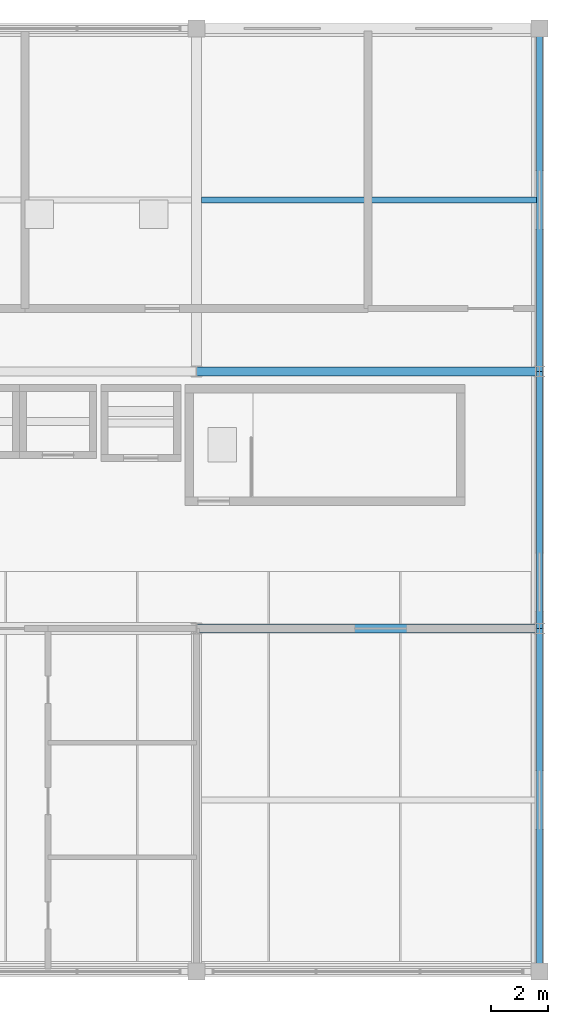
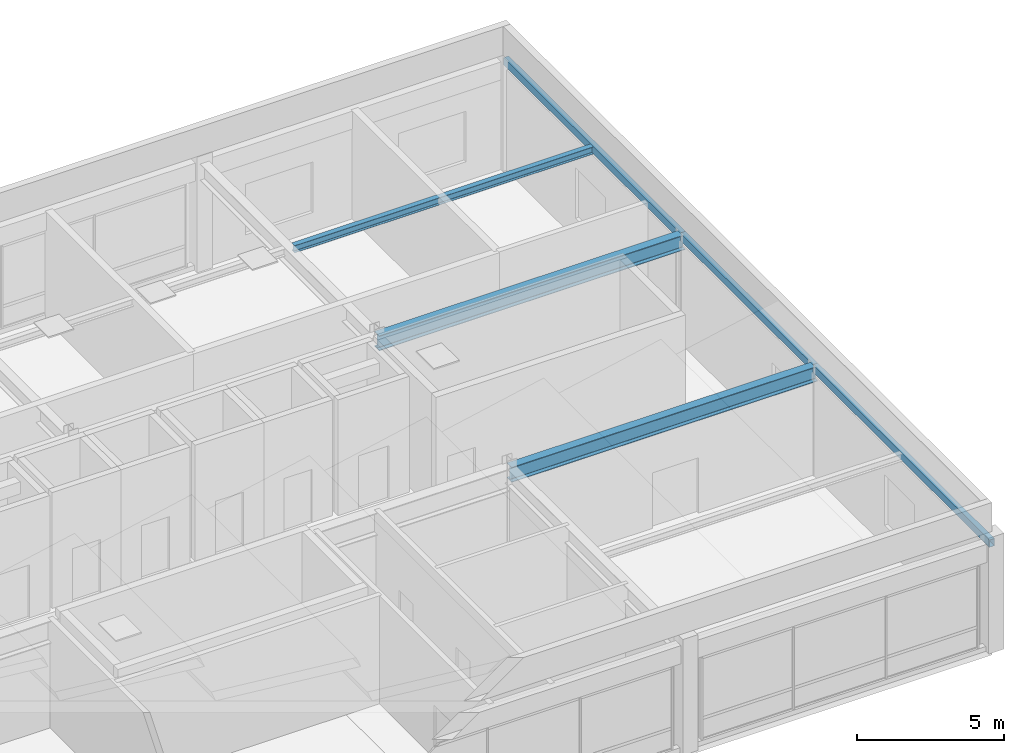
# One storey, part 8 of 16: 6 beams.
"""IFC4 building model written with IfcOpenShell, lengths in metres."""

from ifc_helpers import new_model, si_unit, direction, frame, origin, origin_2d, place, context, subcontext, project, spatial, hollow_rectangle, i_section, extrude, material, material_profile, profile_set, type_object, element, save


model = new_model("IFC4")

# Units and contexts
model_context = context("Model", 3, precision=1e-05, world=origin(), true_north=direction((0.0, 1.0)))
body_context = subcontext(model_context, "Body", "Model", "MODEL_VIEW")
ifc_project = project(units=[si_unit("LENGTHUNIT", "METRE"), si_unit("AREAUNIT", "SQUARE_METRE"), si_unit("VOLUMEUNIT", "CUBIC_METRE"), si_unit("PLANEANGLEUNIT", "RADIAN"), si_unit("MASSUNIT", "GRAM", prefix="KILO")], contexts=[model_context])

# Site, building, storey
site_placement = place(None, origin())
site = spatial("IfcSite", under=ifc_project, at=site_placement, CompositionType="ELEMENT")
building_placement = place(site_placement, origin())
building = spatial("IfcBuilding", under=site, at=building_placement, Name="Kaldorvane Square Convention Centre", CompositionType="ELEMENT")
storey_placement = place(building_placement, frame((0.0, 0.0, 70.80000305175781)))
storey = spatial("IfcBuildingStorey", under=building, at=storey_placement, Name="L17", CompositionType="ELEMENT", Elevation=70.80000305175781)

# Beams
ifc_material_1 = material(Name="Steel ASTM A992 Gr. 50", Category="steel")
ifc_material_profile_1 = material_profile(ifc_material_1, i_section(OverallWidth=0.326507568359375, OverallDepth=0.621795654296875, WebThickness=0.0153961181640625, FlangeThickness=0.0243988037109375, FilletRadius=0.0126953125, at=origin_2d()), Name="W24X131")
ifc_profile_set_1 = profile_set([ifc_material_profile_1], Name="Steel ASTM A992 Gr. 50")
beam_type_1 = type_object("IfcBeamType", Name="BM-GR-W24X131", PredefinedType="BEAM", material=ifc_profile_set_1)
for number, where, z_axis, x_axis, name in (
    (1, (66.0, 96.0, 4.16510009765625), (1.0, 0.0, 0.0), (0.0, 1.0, 0.0), "Primary Girder (L17)"),
    (2, (66.0, 105.0, 4.16510009765625), (1.0, 0.0, 0.0), (0.0, 1.0, 0.0), "Primary Girder (L17)"),
):
    element("IfcBeam", number, at=place(storey_placement, frame(where, z_axis=z_axis, x_axis=x_axis)), inside=storey, type_object=beam_type_1, Name=name, PredefinedType="BEAM", context=body_context, shape_type="SweptSolid", body=[
        extrude(i_section(OverallWidth=0.326507568359375, OverallDepth=0.621795654296875, WebThickness=0.0153961181640625, FlangeThickness=0.0243988037109375, FilletRadius=0.0126953125, at=origin_2d()), origin(), (0.0, 0.0, 1.0), 12.0),
    ])
ifc_material_profile_2 = material_profile(ifc_material_1, i_section(OverallWidth=0.2032928466796875, OverallDepth=0.3032989501953125, WebThickness=0.00750732421875, FlangeThickness=0.0131072998046875, FilletRadius=0.01019287109375, at=origin_2d()), Name="W12X40")
ifc_profile_set_2 = profile_set([ifc_material_profile_2], Name="Steel ASTM A992 Gr. 50")
beam_type_2 = type_object("IfcBeamType", Name="BM-JS-W12X40", PredefinedType="JOIST", material=ifc_profile_set_2)
beam_1_placement = place(storey_placement, frame((66.17739868164062, 111.0, 4.3242950439453125), z_axis=(1.0, 0.0, 0.0), x_axis=(0.0, 1.0, 0.0)))
element("IfcBeam", 3, at=beam_1_placement, inside=storey, type_object=beam_type_2, Name="Secondary Floor Joist (L17)", PredefinedType="JOIST", context=body_context, shape_type="SweptSolid", body=[
    extrude(i_section(OverallWidth=0.2032928466796875, OverallDepth=0.3032989501953125, WebThickness=0.00750732421875, FlangeThickness=0.0131072998046875, FilletRadius=0.01019287109375, at=origin_2d()), origin(), (0.0, 0.0, 1.0), 11.72100830078125),
])
ifc_material_2 = material(Name="Steel ASTM A500 Gr. C", Category="steel")
ifc_material_profile_3 = material_profile(ifc_material_2, hollow_rectangle(XDim=0.2032012939453125, YDim=0.3047943115234375, WallThickness=0.0088958740234375, at=origin_2d()), Name="HSS12X8X3/8")
ifc_profile_set_3 = profile_set([ifc_material_profile_3], Name="Steel ASTM A500 Gr. C")
beam_type_3 = type_object("IfcBeamType", Name="BM-SP-HSS12", PredefinedType="SPANDREL", material=ifc_profile_set_3)
beam_2_placement = place(storey_placement, frame((78.0, 84.0, 4.3235931396484375), z_axis=(0.0, 1.0, 0.0), x_axis=(-1.0, 0.0, 0.0)))
element("IfcBeam", 4, at=beam_2_placement, inside=storey, type_object=beam_type_3, Name="End Spandrel (L17)", PredefinedType="SPANDREL", context=body_context, shape_type="SweptSolid", body=[
    extrude(hollow_rectangle(XDim=0.2032012939453125, YDim=0.3047943115234375, WallThickness=0.0088958740234375, at=origin_2d()), origin(), (0.0, 0.0, 1.0), 12.0),
])
beam_3_placement = place(storey_placement, frame((78.0, 96.0, 4.3235931396484375), z_axis=(0.0, 1.0, 0.0), x_axis=(-1.0, 0.0, 0.0)))
element("IfcBeam", 5, at=beam_3_placement, inside=storey, type_object=beam_type_3, Name="End Spandrel (L17)", PredefinedType="SPANDREL", context=body_context, shape_type="SweptSolid", body=[
    extrude(hollow_rectangle(XDim=0.2032012939453125, YDim=0.3047943115234375, WallThickness=0.0088958740234375, at=origin_2d()), origin(), (0.0, 0.0, 1.0), 9.0),
])
beam_4_placement = place(storey_placement, frame((78.0, 105.0, 4.3235931396484375), z_axis=(0.0, 1.0, 0.0), x_axis=(-1.0, 0.0, 0.0)))
element("IfcBeam", 6, at=beam_4_placement, inside=storey, type_object=beam_type_3, Name="End Spandrel (L17)", PredefinedType="SPANDREL", context=body_context, shape_type="SweptSolid", body=[
    extrude(hollow_rectangle(XDim=0.2032012939453125, YDim=0.3047943115234375, WallThickness=0.0088958740234375, at=origin_2d()), origin(), (0.0, 0.0, 1.0), 12.0),
])

save(model, "model.ifc")
